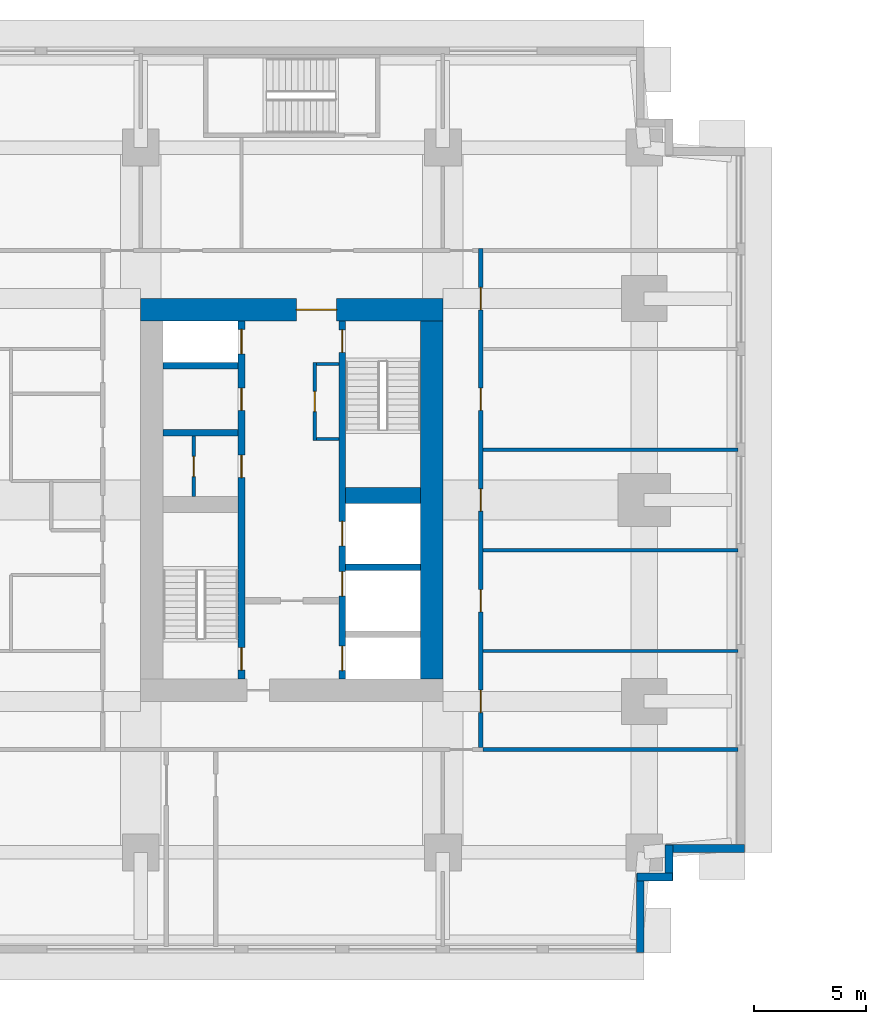
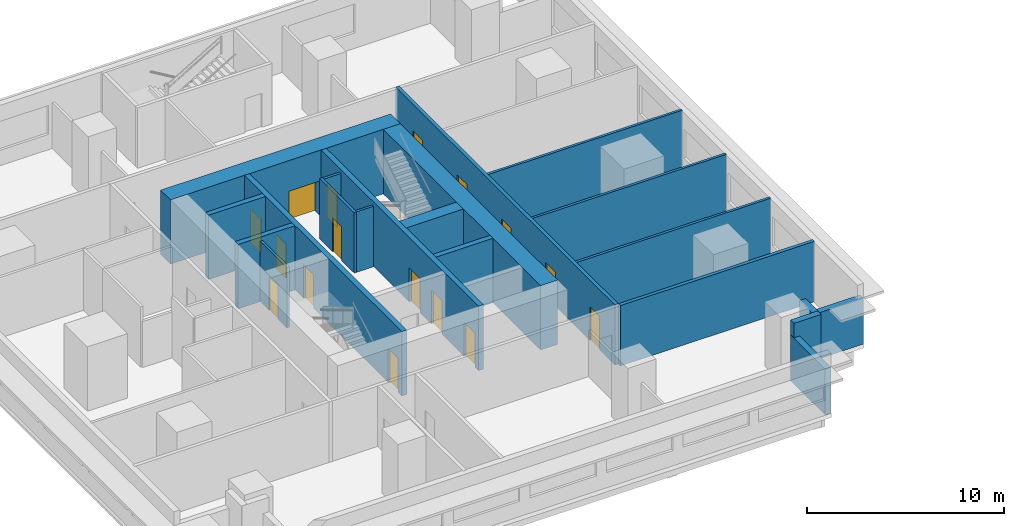
# One storey, part 4 of 11: 21 walls, 16 doors, 16 openings.
"""IFC4 building model written with IfcOpenShell, lengths in metres."""

from ifc_helpers import new_model, si_unit, direction, frame, frame_2d, origin, place, context, subcontext, project, spatial, rectangle, extrude, material, layer, layer_set, type_object, element, fill, save


model = new_model("IFC4")

# Units and contexts
model_context = context("Model", 3, precision=1e-05, world=origin(), true_north=direction((0.0, 1.0)))
body_context = subcontext(model_context, "Body", "Model", "MODEL_VIEW")
ifc_project = project(units=[si_unit("LENGTHUNIT", "METRE"), si_unit("AREAUNIT", "SQUARE_METRE"), si_unit("VOLUMEUNIT", "CUBIC_METRE"), si_unit("PLANEANGLEUNIT", "RADIAN"), si_unit("MASSUNIT", "GRAM", prefix="KILO")], contexts=[model_context])

# Site, building, storey
site_placement = place(None, origin())
site = spatial("IfcSite", under=ifc_project, at=site_placement, CompositionType="ELEMENT")
building_placement = place(site_placement, origin())
building = spatial("IfcBuilding", under=site, at=building_placement, Name="Namib Vertical Campus", CompositionType="ELEMENT")
storey_placement = place(building_placement, frame((0.0, 0.0, 185.0)))
storey = spatial("IfcBuildingStorey", under=building, at=storey_placement, Name="L43", CompositionType="ELEMENT", Elevation=185.0)

# Wall, openings, doors
ifc_material_1 = material(Name="Concrete C60/75", Category="concrete")
ifc_layer_1 = layer(ifc_material_1, 0.300048828125)
ifc_layer_set_1 = layer_set([ifc_layer_1], Name="Concrete C60/75")
wall_type_1 = type_object("IfcWallType", Name="Core inner wall 300", PredefinedType="SHEAR", material=ifc_layer_set_1)
wall_1_placement = place(storey_placement, frame((18.0, 12.25, 0.0), z_axis=(0.0, 0.0, 1.0), x_axis=(0.0, 1.0, 0.0)))
wall_1 = element("IfcWall", 1, at=wall_1_placement, inside=storey, type_object=wall_type_1, Name="Core inner wall A L43 W1", PredefinedType="SHEAR", context=body_context, shape_type="SweptSolid", body=[
    extrude(rectangle(XDim=16.0, YDim=0.300048828125, at=frame_2d((8.0, 0.0))), origin(), (0.0, 0.0, 1.0), 4.0),
])
opening_1_placement = place(wall_1_placement, frame((0.39990234375, 0.0, 0.0)))
opening_1 = element("IfcOpeningElement", 2, at=opening_1_placement, cuts=wall_1, Name="Opening FD1", PredefinedType="OPENING", context=body_context, shape_type="SweptSolid", body=[
    extrude(rectangle(XDim=1.0, YDim=2.10009765625, at=frame_2d((0.5, 1.050048828125))), frame((0.0, 0.159912109375, 0.0), z_axis=(0.0, -1.0, 0.0), x_axis=(1.0, 0.0, 0.0)), (0.0, 0.0, 1.0), 0.320068359375),
])
opening_2_placement = place(wall_1_placement, frame((14.52490234375, 0.0, 0.0)))
opening_2 = element("IfcOpeningElement", 3, at=opening_2_placement, cuts=wall_1, Name="Opening LD1", PredefinedType="OPENING", context=body_context, shape_type="SweptSolid", body=[
    extrude(rectangle(XDim=1.10009765625, YDim=2.10009765625, at=frame_2d((0.550048828125, 1.050048828125))), frame((0.0, 0.159912109375, 0.0), z_axis=(0.0, -1.0, 0.0), x_axis=(1.0, 0.0, 0.0)), (0.0, 0.0, 1.0), 0.320068359375),
])
opening_3_placement = place(wall_1_placement, frame((9.0, 0.0, 0.0)))
opening_3 = element("IfcOpeningElement", 4, at=opening_3_placement, cuts=wall_1, Name="Opening D1", PredefinedType="OPENING", context=body_context, shape_type="SweptSolid", body=[
    extrude(rectangle(XDim=1.0, YDim=2.10009765625, at=frame_2d((0.5, 1.050048828125))), frame((0.0, 0.159912109375, 0.0), z_axis=(0.0, -1.0, 0.0), x_axis=(1.0, 0.0, 0.0)), (0.0, 0.0, 1.0), 0.320068359375),
])
opening_4_placement = place(wall_1_placement, frame((12.0, 0.0, 0.0)))
opening_4 = element("IfcOpeningElement", 5, at=opening_4_placement, cuts=wall_1, Name="Opening D1", PredefinedType="OPENING", context=body_context, shape_type="SweptSolid", body=[
    extrude(rectangle(XDim=1.0, YDim=2.10009765625, at=frame_2d((0.5, 1.050048828125))), frame((0.0, 0.159912109375, 0.0), z_axis=(0.0, -1.0, 0.0), x_axis=(1.0, 0.0, 0.0)), (0.0, 0.0, 1.0), 0.320068359375),
])
ifc_material_2 = material(Name="Timber door leaf", Category="wood")
door_type_1 = type_object("IfcDoorType", Name="Door single 1000x2100", OperationType="SINGLE_SWING_LEFT", PredefinedType="DOOR", material=ifc_material_2)
door_1_placement = place(opening_3_placement, origin())
door_1 = element("IfcDoor", 6, at=door_1_placement, inside=storey, type_object=door_type_1, Name="Door D1 Store A L43 P1", OperationType="SINGLE_SWING_LEFT", OverallHeight=2.10009765625, OverallWidth=1.0, PredefinedType="DOOR", context=body_context, shape_type="SweptSolid", body=[
    extrude(rectangle(XDim=1.0, YDim=2.10009765625, at=frame_2d((0.5, 1.050048828125))), frame((0.0, 0.02490234375, 0.0), z_axis=(0.0, -1.0, 0.0), x_axis=(1.0, 0.0, 0.0)), (0.0, 0.0, 1.0), 0.050048828125),
])
fill(opening_3, door_1)
door_2_placement = place(opening_4_placement, origin())
door_2 = element("IfcDoor", 7, at=door_2_placement, inside=storey, type_object=door_type_1, Name="Door D1 Cleaners' store A L43 P2", OperationType="SINGLE_SWING_LEFT", OverallHeight=2.10009765625, OverallWidth=1.0, PredefinedType="DOOR", context=body_context, shape_type="SweptSolid", body=[
    extrude(rectangle(XDim=1.0, YDim=2.10009765625, at=frame_2d((0.5, 1.050048828125))), frame((0.0, 0.02490234375, 0.0), z_axis=(0.0, -1.0, 0.0), x_axis=(1.0, 0.0, 0.0)), (0.0, 0.0, 1.0), 0.050048828125),
])
fill(opening_4, door_2)
ifc_material_3 = material(Name="Steel fire door", Category="steel")
door_type_2 = type_object("IfcDoorType", Name="Fire door 1000x2100", OperationType="SINGLE_SWING_RIGHT", PredefinedType="DOOR", material=ifc_material_3)
door_3_placement = place(opening_1_placement, origin())
door_3 = element("IfcDoor", 8, at=door_3_placement, inside=storey, type_object=door_type_2, Name="Stair door FD1 A L43 S1", OperationType="SINGLE_SWING_LEFT", OverallHeight=2.10009765625, OverallWidth=1.0, PredefinedType="DOOR", context=body_context, shape_type="SweptSolid", body=[
    extrude(rectangle(XDim=1.0, YDim=2.10009765625, at=frame_2d((0.5, 1.050048828125))), frame((0.0, 0.02490234375, 0.0), z_axis=(0.0, -1.0, 0.0), x_axis=(1.0, 0.0, 0.0)), (0.0, 0.0, 1.0), 0.050048828125),
])
fill(opening_1, door_3)
ifc_material_4 = material(Name="Stainless steel lift door", Category="steel")
door_type_3 = type_object("IfcDoorType", Name="Lift landing door 1100x2100", OperationType="DOUBLE_DOOR_SLIDING", PredefinedType="DOOR", material=ifc_material_4)
door_4_placement = place(opening_2_placement, origin())
door_4 = element("IfcDoor", 9, at=door_4_placement, inside=storey, type_object=door_type_3, Name="Lift landing door LD1 A-P3 L43", OperationType="DOUBLE_DOOR_SLIDING", OverallHeight=2.10009765625, OverallWidth=1.10009765625, PredefinedType="DOOR", context=body_context, shape_type="SweptSolid", body=[
    extrude(rectangle(XDim=1.10009765625, YDim=2.10009765625, at=frame_2d((0.550048828125, 1.050048828125))), frame((0.0, 0.02490234375, 0.0), z_axis=(0.0, -1.0, 0.0), x_axis=(1.0, 0.0, 0.0)), (0.0, 0.0, 1.0), 0.050048828125),
])
fill(opening_2, door_4)

wall_2_placement = place(storey_placement, frame((22.5, 12.25, 0.0), z_axis=(0.0, 0.0, 1.0), x_axis=(0.0, 1.0, 0.0)))
wall_2 = element("IfcWall", 10, at=wall_2_placement, inside=storey, type_object=wall_type_1, Name="Core inner wall A L43 W2", PredefinedType="SHEAR", context=body_context, shape_type="SweptSolid", body=[
    extrude(rectangle(XDim=16.0, YDim=0.300048828125, at=frame_2d((8.0, 0.0))), origin(), (0.0, 0.0, 1.0), 4.0),
])
opening_5_placement = place(wall_2_placement, frame((14.60009765625, 0.0, 0.0)))
opening_5 = element("IfcOpeningElement", 11, at=opening_5_placement, cuts=wall_2, Name="Opening FD1", PredefinedType="OPENING", context=body_context, shape_type="SweptSolid", body=[
    extrude(rectangle(XDim=1.0, YDim=2.10009765625, at=frame_2d((0.5, 1.050048828125))), frame((0.0, 0.159912109375, 0.0), z_axis=(0.0, -1.0, 0.0), x_axis=(1.0, 0.0, 0.0)), (0.0, 0.0, 1.0), 0.320068359375),
])
opening_6_placement = place(wall_2_placement, frame((0.375, 0.0, 0.0)))
opening_6 = element("IfcOpeningElement", 12, at=opening_6_placement, cuts=wall_2, Name="Opening LD1", PredefinedType="OPENING", context=body_context, shape_type="SweptSolid", body=[
    extrude(rectangle(XDim=1.10009765625, YDim=2.10009765625, at=frame_2d((0.550048828125, 1.050048828125))), frame((0.0, 0.159912109375, 0.0), z_axis=(0.0, -1.0, 0.0), x_axis=(1.0, 0.0, 0.0)), (0.0, 0.0, 1.0), 0.320068359375),
])
opening_7_placement = place(wall_2_placement, frame((3.699951171875, 0.0, 0.0)))
opening_7 = element("IfcOpeningElement", 13, at=opening_7_placement, cuts=wall_2, Name="Opening LD1", PredefinedType="OPENING", context=body_context, shape_type="SweptSolid", body=[
    extrude(rectangle(XDim=1.10009765625, YDim=2.10009765625, at=frame_2d((0.550048828125, 1.050048828125))), frame((0.0, 0.159912109375, 0.0), z_axis=(0.0, -1.0, 0.0), x_axis=(1.0, 0.0, 0.0)), (0.0, 0.0, 1.0), 0.320068359375),
])
opening_8_placement = place(wall_2_placement, frame((5.949951171875, 0.0, 0.0)))
opening_8 = element("IfcOpeningElement", 14, at=opening_8_placement, cuts=wall_2, Name="Opening LD1", PredefinedType="OPENING", context=body_context, shape_type="SweptSolid", body=[
    extrude(rectangle(XDim=1.10009765625, YDim=2.10009765625, at=frame_2d((0.550048828125, 1.050048828125))), frame((0.0, 0.159912109375, 0.0), z_axis=(0.0, -1.0, 0.0), x_axis=(1.0, 0.0, 0.0)), (0.0, 0.0, 1.0), 0.320068359375),
])
door_5_placement = place(opening_5_placement, frame((1.0, 0.0, 0.0), z_axis=(0.0, 0.0, 1.0), x_axis=(-1.0, 0.0, 0.0)))
door_5 = element("IfcDoor", 15, at=door_5_placement, inside=storey, type_object=door_type_2, Name="Stair door FD1 A L43 S2", OperationType="SINGLE_SWING_LEFT", OverallHeight=2.10009765625, OverallWidth=1.0, PredefinedType="DOOR", context=body_context, shape_type="SweptSolid", body=[
    extrude(rectangle(XDim=1.0, YDim=2.10009765625, at=frame_2d((0.5, 1.050048828125))), frame((0.0, 0.02490234375, 0.0), z_axis=(0.0, -1.0, 0.0), x_axis=(1.0, 0.0, 0.0)), (0.0, 0.0, 1.0), 0.050048828125),
])
fill(opening_5, door_5)
door_6_placement = place(opening_6_placement, origin())
door_6 = element("IfcDoor", 16, at=door_6_placement, inside=storey, type_object=door_type_3, Name="Lift landing door LD1 A-FL1 L43", OperationType="DOUBLE_DOOR_SLIDING", OverallHeight=2.10009765625, OverallWidth=1.10009765625, PredefinedType="DOOR", context=body_context, shape_type="SweptSolid", body=[
    extrude(rectangle(XDim=1.10009765625, YDim=2.10009765625, at=frame_2d((0.550048828125, 1.050048828125))), frame((0.0, 0.02490234375, 0.0), z_axis=(0.0, -1.0, 0.0), x_axis=(1.0, 0.0, 0.0)), (0.0, 0.0, 1.0), 0.050048828125),
])
fill(opening_6, door_6)
door_7_placement = place(opening_7_placement, origin())
door_7 = element("IfcDoor", 17, at=door_7_placement, inside=storey, type_object=door_type_3, Name="Lift landing door LD1 A-P4 L43", OperationType="DOUBLE_DOOR_SLIDING", OverallHeight=2.10009765625, OverallWidth=1.10009765625, PredefinedType="DOOR", context=body_context, shape_type="SweptSolid", body=[
    extrude(rectangle(XDim=1.10009765625, YDim=2.10009765625, at=frame_2d((0.550048828125, 1.050048828125))), frame((0.0, 0.02490234375, 0.0), z_axis=(0.0, -1.0, 0.0), x_axis=(1.0, 0.0, 0.0)), (0.0, 0.0, 1.0), 0.050048828125),
])
fill(opening_7, door_7)
door_8_placement = place(opening_8_placement, origin())
door_8 = element("IfcDoor", 18, at=door_8_placement, inside=storey, type_object=door_type_3, Name="Lift landing door LD1 A-P5 L43", OperationType="DOUBLE_DOOR_SLIDING", OverallHeight=2.10009765625, OverallWidth=1.10009765625, PredefinedType="DOOR", context=body_context, shape_type="SweptSolid", body=[
    extrude(rectangle(XDim=1.10009765625, YDim=2.10009765625, at=frame_2d((0.550048828125, 1.050048828125))), frame((0.0, 0.02490234375, 0.0), z_axis=(0.0, -1.0, 0.0), x_axis=(1.0, 0.0, 0.0)), (0.0, 0.0, 1.0), 0.050048828125),
])
fill(opening_8, door_8)

# Walls
for number, where, z_axis, x_axis, name in (
    (19, (22.64990234375, 17.25, 0.0), (0.0, 0.0, 1.0), (1.0, 0.0, 0.0), "Core inner wall A L43 W6"),
    (20, (14.5, 23.25, 0.0), (0.0, 0.0, 1.0), (1.0, 0.0, 0.0), "Core inner wall A L43 W8"),
    (21, (14.5, 26.25, 0.0), (0.0, 0.0, 1.0), (1.0, 0.0, 0.0), "Core inner wall A L43 W9"),
):
    element("IfcWall", number, at=place(storey_placement, frame(where, z_axis=z_axis, x_axis=x_axis)), inside=storey, type_object=wall_type_1, Name=name, PredefinedType="SHEAR", context=body_context, shape_type="SweptSolid", body=[
        extrude(rectangle(XDim=3.35009765625, YDim=0.300048828125, at=frame_2d((1.675048828125, 0.0))), origin(), (0.0, 0.0, 1.0), 4.0),
    ])
ifc_material_5 = material(Name="Concrete C60/75", Category="concrete")
ifc_layer_2 = layer(ifc_material_5, 0.699951171875)
ifc_layer_set_2 = layer_set([ifc_layer_2], Name="Concrete C60/75")
wall_type_2 = type_object("IfcWallType", Name="Core shear wall 700", PredefinedType="SHEAR", material=ifc_layer_set_2)
wall_3_placement = place(storey_placement, frame((22.64990234375, 20.449951171875, 0.0), z_axis=(0.0, 0.0, 1.0), x_axis=(1.0, 0.0, 0.0)))
element("IfcWall", 22, at=wall_3_placement, inside=storey, type_object=wall_type_2, Name="Core shear wall A L43 W7", PredefinedType="SHEAR", context=body_context, shape_type="SweptSolid", body=[
    extrude(rectangle(XDim=3.35009765625, YDim=0.699951171875, at=frame_2d((1.675048828125, 0.0))), origin(), (0.0, 0.0, 1.0), 4.0),
])
ifc_material_6 = material(Name="Concrete C60/75", Category="concrete")
ifc_layer_3 = layer(ifc_material_6, 1.0)
ifc_layer_set_3 = layer_set([ifc_layer_3], Name="Concrete C60/75")
wall_type_3 = type_object("IfcWallType", Name="Core wall 1000", PredefinedType="SHEAR", material=ifc_layer_set_3)
wall_4_placement = place(storey_placement, frame((26.5, 12.25, 0.0), z_axis=(0.0, 0.0, 1.0), x_axis=(0.0, 1.0, 0.0)))
element("IfcWall", 23, at=wall_4_placement, inside=storey, type_object=wall_type_3, Name="Core wall A L43 2", PredefinedType="SHEAR", context=body_context, shape_type="SweptSolid", body=[
    extrude(rectangle(XDim=16.0, YDim=1.0, at=frame_2d((8.0, 0.0))), origin(), (0.0, 0.0, 1.0), 4.0),
])

# Wall, opening, door
wall_5_placement = place(storey_placement, frame((27.0, 28.75, 0.0), z_axis=(0.0, 0.0, 1.0), x_axis=(-1.0, 0.0, 0.0)))
wall_5 = element("IfcWall", 24, at=wall_5_placement, inside=storey, type_object=wall_type_3, Name="Core wall A L43 3", PredefinedType="SHEAR", context=body_context, shape_type="SweptSolid", body=[
    extrude(rectangle(XDim=13.5, YDim=1.0, at=frame_2d((6.75, 0.0))), origin(), (0.0, 0.0, 1.0), 4.0),
])
opening_9_placement = place(wall_5_placement, frame((4.75, 0.0, 0.0)))
opening_9 = element("IfcOpeningElement", 25, at=opening_9_placement, cuts=wall_5, Name="Opening FD2", PredefinedType="OPENING", context=body_context, shape_type="SweptSolid", body=[
    extrude(rectangle(XDim=1.800048828125, YDim=2.10009765625, at=frame_2d((0.89990234375, 1.050048828125))), frame((0.0, 0.510009765625, 0.0), z_axis=(0.0, -1.0, 0.0), x_axis=(1.0, 0.0, 0.0)), (0.0, 0.0, 1.0), 1.02001953125),
])
ifc_material_7 = material(Name="Steel fire door", Category="steel")
door_type_4 = type_object("IfcDoorType", Name="Fire door double 1800x2100", OperationType="DOUBLE_DOOR_SINGLE_SWING", PredefinedType="DOOR", material=ifc_material_7)
door_9_placement = place(opening_9_placement, origin())
door_9 = element("IfcDoor", 26, at=door_9_placement, inside=storey, type_object=door_type_4, Name="Lift lobby door FD2 A L43", OperationType="DOUBLE_DOOR_SINGLE_SWING", OverallHeight=2.10009765625, OverallWidth=1.800048828125, PredefinedType="DOOR", context=body_context, shape_type="SweptSolid", body=[
    extrude(rectangle(XDim=1.800048828125, YDim=2.10009765625, at=frame_2d((0.89990234375, 1.050048828125))), frame((0.0, 0.02490234375, 0.0), z_axis=(0.0, -1.0, 0.0), x_axis=(1.0, 0.0, 0.0)), (0.0, 0.0, 1.0), 0.050048828125),
])
fill(opening_9, door_9)

# Wall, openings, doors
ifc_material_8 = material(Name="Concrete masonry", Category="masonry")
ifc_layer_4 = layer(ifc_material_8, 0.199951171875)
ifc_layer_set_4 = layer_set([ifc_layer_4], Name="Corridor wall 200")
wall_type_4 = type_object("IfcWallType", Name="Corridor wall 200", PredefinedType="SOLIDWALL", material=ifc_layer_set_4)
wall_6_placement = place(storey_placement, frame((28.699951171875, 9.199951171875, 0.0), z_axis=(0.0, 0.0, 1.0), x_axis=(0.0, 1.0, 0.0)))
wall_6 = element("IfcWall", 27, at=wall_6_placement, inside=storey, type_object=wall_type_4, Name="Corridor wall A L43 CE", PredefinedType="SOLIDWALL", context=body_context, shape_type="SweptSolid", body=[
    extrude(rectangle(XDim=22.300048828125, YDim=0.199951171875, at=frame_2d((11.14990234375, 0.0))), origin(), (0.0, 0.0, 1.0), 3.75),
])
opening_10_placement = place(wall_6_placement, frame((1.550048828125, 0.0, 0.0)))
opening_10 = element("IfcOpeningElement", 28, at=opening_10_placement, cuts=wall_6, Name="Opening CD1", PredefinedType="OPENING", context=body_context, shape_type="SweptSolid", body=[
    extrude(rectangle(XDim=1.0, YDim=2.10009765625, at=frame_2d((0.5, 1.050048828125))), frame((0.0, 0.10986328125, 0.0), z_axis=(0.0, -1.0, 0.0), x_axis=(1.0, 0.0, 0.0)), (0.0, 0.0, 1.0), 0.219970703125),
])
opening_11_placement = place(wall_6_placement, frame((6.050048828125, 0.0, 0.0)))
opening_11 = element("IfcOpeningElement", 29, at=opening_11_placement, cuts=wall_6, Name="Opening CD1", PredefinedType="OPENING", context=body_context, shape_type="SweptSolid", body=[
    extrude(rectangle(XDim=1.0, YDim=2.10009765625, at=frame_2d((0.5, 1.050048828125))), frame((0.0, 0.10986328125, 0.0), z_axis=(0.0, -1.0, 0.0), x_axis=(1.0, 0.0, 0.0)), (0.0, 0.0, 1.0), 0.219970703125),
])
opening_12_placement = place(wall_6_placement, frame((10.550048828125, 0.0, 0.0)))
opening_12 = element("IfcOpeningElement", 30, at=opening_12_placement, cuts=wall_6, Name="Opening CD1", PredefinedType="OPENING", context=body_context, shape_type="SweptSolid", body=[
    extrude(rectangle(XDim=1.0, YDim=2.10009765625, at=frame_2d((0.5, 1.050048828125))), frame((0.0, 0.10986328125, 0.0), z_axis=(0.0, -1.0, 0.0), x_axis=(1.0, 0.0, 0.0)), (0.0, 0.0, 1.0), 0.219970703125),
])
opening_13_placement = place(wall_6_placement, frame((15.050048828125, 0.0, 0.0)))
opening_13 = element("IfcOpeningElement", 31, at=opening_13_placement, cuts=wall_6, Name="Opening CD1", PredefinedType="OPENING", context=body_context, shape_type="SweptSolid", body=[
    extrude(rectangle(XDim=1.0, YDim=2.10009765625, at=frame_2d((0.5, 1.050048828125))), frame((0.0, 0.10986328125, 0.0), z_axis=(0.0, -1.0, 0.0), x_axis=(1.0, 0.0, 0.0)), (0.0, 0.0, 1.0), 0.219970703125),
])
opening_14_placement = place(wall_6_placement, frame((19.550048828125, 0.0, 0.0)))
opening_14 = element("IfcOpeningElement", 32, at=opening_14_placement, cuts=wall_6, Name="Opening CD1", PredefinedType="OPENING", context=body_context, shape_type="SweptSolid", body=[
    extrude(rectangle(XDim=1.0, YDim=2.10009765625, at=frame_2d((0.5, 1.050048828125))), frame((0.0, 0.10986328125, 0.0), z_axis=(0.0, -1.0, 0.0), x_axis=(1.0, 0.0, 0.0)), (0.0, 0.0, 1.0), 0.219970703125),
])
ifc_material_9 = material(Name="Timber fire door leaf", Category="wood")
door_type_5 = type_object("IfcDoorType", Name="Corridor door 1000x2100 20 min", OperationType="SINGLE_SWING_LEFT", PredefinedType="DOOR", material=ifc_material_9)
door_10_placement = place(opening_10_placement, frame((1.0, 0.0, 0.0), z_axis=(0.0, 0.0, 1.0), x_axis=(-1.0, 0.0, 0.0)))
door_10 = element("IfcDoor", 33, at=door_10_placement, inside=storey, type_object=door_type_5, Name="Door CD1 A43-04", OperationType="SINGLE_SWING_RIGHT", OverallHeight=2.10009765625, OverallWidth=1.0, PredefinedType="DOOR", context=body_context, shape_type="SweptSolid", body=[
    extrude(rectangle(XDim=1.0, YDim=2.10009765625, at=frame_2d((0.5, 1.050048828125))), frame((0.0, 0.02490234375, 0.0), z_axis=(0.0, -1.0, 0.0), x_axis=(1.0, 0.0, 0.0)), (0.0, 0.0, 1.0), 0.050048828125),
])
fill(opening_10, door_10)
door_11_placement = place(opening_11_placement, frame((1.0, 0.0, 0.0), z_axis=(0.0, 0.0, 1.0), x_axis=(-1.0, 0.0, 0.0)))
door_11 = element("IfcDoor", 34, at=door_11_placement, inside=storey, type_object=door_type_5, Name="Door CD1 A43-05", OperationType="SINGLE_SWING_RIGHT", OverallHeight=2.10009765625, OverallWidth=1.0, PredefinedType="DOOR", context=body_context, shape_type="SweptSolid", body=[
    extrude(rectangle(XDim=1.0, YDim=2.10009765625, at=frame_2d((0.5, 1.050048828125))), frame((0.0, 0.02490234375, 0.0), z_axis=(0.0, -1.0, 0.0), x_axis=(1.0, 0.0, 0.0)), (0.0, 0.0, 1.0), 0.050048828125),
])
fill(opening_11, door_11)
door_12_placement = place(opening_12_placement, frame((1.0, 0.0, 0.0), z_axis=(0.0, 0.0, 1.0), x_axis=(-1.0, 0.0, 0.0)))
door_12 = element("IfcDoor", 35, at=door_12_placement, inside=storey, type_object=door_type_5, Name="Door CD1 A43-06", OperationType="SINGLE_SWING_RIGHT", OverallHeight=2.10009765625, OverallWidth=1.0, PredefinedType="DOOR", context=body_context, shape_type="SweptSolid", body=[
    extrude(rectangle(XDim=1.0, YDim=2.10009765625, at=frame_2d((0.5, 1.050048828125))), frame((0.0, 0.02490234375, 0.0), z_axis=(0.0, -1.0, 0.0), x_axis=(1.0, 0.0, 0.0)), (0.0, 0.0, 1.0), 0.050048828125),
])
fill(opening_12, door_12)
door_13_placement = place(opening_13_placement, frame((1.0, 0.0, 0.0), z_axis=(0.0, 0.0, 1.0), x_axis=(-1.0, 0.0, 0.0)))
door_13 = element("IfcDoor", 36, at=door_13_placement, inside=storey, type_object=door_type_5, Name="Door CD1 A43-07", OperationType="SINGLE_SWING_RIGHT", OverallHeight=2.10009765625, OverallWidth=1.0, PredefinedType="DOOR", context=body_context, shape_type="SweptSolid", body=[
    extrude(rectangle(XDim=1.0, YDim=2.10009765625, at=frame_2d((0.5, 1.050048828125))), frame((0.0, 0.02490234375, 0.0), z_axis=(0.0, -1.0, 0.0), x_axis=(1.0, 0.0, 0.0)), (0.0, 0.0, 1.0), 0.050048828125),
])
fill(opening_13, door_13)
door_14_placement = place(opening_14_placement, frame((1.0, 0.0, 0.0), z_axis=(0.0, 0.0, 1.0), x_axis=(-1.0, 0.0, 0.0)))
door_14 = element("IfcDoor", 37, at=door_14_placement, inside=storey, type_object=door_type_5, Name="Door CD1 A43-08", OperationType="SINGLE_SWING_RIGHT", OverallHeight=2.10009765625, OverallWidth=1.0, PredefinedType="DOOR", context=body_context, shape_type="SweptSolid", body=[
    extrude(rectangle(XDim=1.0, YDim=2.10009765625, at=frame_2d((0.5, 1.050048828125))), frame((0.0, 0.02490234375, 0.0), z_axis=(0.0, -1.0, 0.0), x_axis=(1.0, 0.0, 0.0)), (0.0, 0.0, 1.0), 0.050048828125),
])
fill(opening_14, door_14)

# Walls
wall_7_placement = place(storey_placement, frame((28.800048828125, 9.10009765625, 0.0), z_axis=(0.0, 0.0, 1.0), x_axis=(1.0, 0.0, 0.0)))
element("IfcWall", 38, at=wall_7_placement, inside=storey, type_object=wall_type_4, Name="Partition A L43 BSE", PredefinedType="SOLIDWALL", context=body_context, shape_type="SweptSolid", body=[
    extrude(rectangle(XDim=11.39990234375, YDim=0.199951171875, at=frame_2d((5.699951171875, 0.0))), origin(), (0.0, 0.0, 1.0), 3.75),
])
ifc_material_10 = material(Name="Concrete C40/50", Category="concrete")
ifc_layer_5 = layer(ifc_material_10, 0.35009765625)
ifc_layer_set_5 = layer_set([ifc_layer_5], Name="Concrete C40/50")
wall_type_5 = type_object("IfcWallType", Name="External wall 350 bush-hammered concrete", PredefinedType="STANDARD", material=ifc_layer_set_5)
wall_8_placement = place(storey_placement, frame((35.824951171875, 0.02001953125, 0.0), z_axis=(0.0, 0.0, 1.0), x_axis=(0.0, 1.0, 0.0)))
element("IfcWall", 39, at=wall_8_placement, inside=storey, type_object=wall_type_5, Name="External wall L43 F02", PredefinedType="STANDARD", context=body_context, shape_type="SweptSolid", body=[
    extrude(rectangle(XDim=3.534912109375, YDim=0.35009765625, at=frame_2d((1.767578125, 0.0))), origin(), (0.0, 0.0, 1.0), 2.85009765625),
])
for number, where, z_axis, x_axis, name in (
    (40, (35.669921875, 3.39990234375, 0.0), (0.0, 0.0, 1.0), (1.0, 0.0, 0.0), "External wall L43 F03"),
    (41, (37.10009765625, 3.2451171875, 0.0), (0.0, 0.0, 1.0), (0.0, 1.0, 0.0), "External wall L43 F04"),
):
    element("IfcWall", number, at=place(storey_placement, frame(where, z_axis=z_axis, x_axis=x_axis)), inside=storey, type_object=wall_type_5, Name=name, PredefinedType="STANDARD", context=body_context, shape_type="SweptSolid", body=[
        extrude(rectangle(XDim=1.5849609375, YDim=0.35009765625, at=frame_2d((0.79248046875, 0.0))), origin(), (0.0, 0.0, 1.0), 3.75),
    ])
wall_9_placement = place(storey_placement, frame((36.945068359375, 4.675048828125, 0.0), z_axis=(0.0, 0.0, 1.0), x_axis=(1.0, 0.0, 0.0)))
element("IfcWall", 42, at=wall_9_placement, inside=storey, type_object=wall_type_5, Name="External wall L43 F05", PredefinedType="STANDARD", context=body_context, shape_type="SweptSolid", body=[
    extrude(rectangle(XDim=3.534912109375, YDim=0.35009765625, at=frame_2d((1.767578125, 0.0))), origin(), (0.0, 0.0, 1.0), 2.85009765625),
])

# Wall, opening, door
ifc_material_11 = material(Name="Gypsum board on steel studs", Category="steel")
ifc_layer_6 = layer(ifc_material_11, 0.14990234375)
ifc_layer_set_6 = layer_set([ifc_layer_6], Name="Gypsum board on steel studs")
wall_type_6 = type_object("IfcWallType", Name="Partition 150", PredefinedType="PARTITIONING", material=ifc_layer_set_6)
wall_10_placement = place(storey_placement, frame((21.27490234375, 22.89990234375, 0.0), z_axis=(0.0, 0.0, 1.0), x_axis=(0.0, 1.0, 0.0)))
wall_10 = element("IfcWall", 43, at=wall_10_placement, inside=storey, type_object=wall_type_6, Name="Partition A L43 Staff pantry front", PredefinedType="PARTITIONING", context=body_context, shape_type="SweptSolid", body=[
    extrude(rectangle(XDim=3.5, YDim=0.14990234375, at=frame_2d((1.75, 0.0))), origin(), (0.0, 0.0, 1.0), 3.75),
])
opening_15_placement = place(wall_10_placement, frame((1.300048828125, 0.0, 0.0)))
opening_15 = element("IfcOpeningElement", 44, at=opening_15_placement, cuts=wall_10, Name="Opening D3", PredefinedType="OPENING", context=body_context, shape_type="SweptSolid", body=[
    extrude(rectangle(XDim=0.89990234375, YDim=2.10009765625, at=frame_2d((0.449951171875, 1.050048828125))), frame((0.0, 0.0849609375, 0.0), z_axis=(0.0, -1.0, 0.0), x_axis=(1.0, 0.0, 0.0)), (0.0, 0.0, 1.0), 0.169921875),
])
ifc_material_12 = material(Name="Timber door leaf", Category="wood")
door_type_6 = type_object("IfcDoorType", Name="Toilet door 900x2100", OperationType="SINGLE_SWING_LEFT", PredefinedType="DOOR", material=ifc_material_12)
door_15_placement = place(opening_15_placement, frame((0.89990234375, 0.0, 0.0), z_axis=(0.0, 0.0, 1.0), x_axis=(-1.0, 0.0, 0.0)))
door_15 = element("IfcDoor", 45, at=door_15_placement, inside=storey, type_object=door_type_6, Name="Door D3 Staff pantry A L43", OperationType="SINGLE_SWING_RIGHT", OverallHeight=2.10009765625, OverallWidth=0.89990234375, PredefinedType="DOOR", context=body_context, shape_type="SweptSolid", body=[
    extrude(rectangle(XDim=0.89990234375, YDim=2.10009765625, at=frame_2d((0.449951171875, 1.050048828125))), frame((0.0, 0.02490234375, 0.0), z_axis=(0.0, -1.0, 0.0), x_axis=(1.0, 0.0, 0.0)), (0.0, 0.0, 1.0), 0.050048828125),
])
fill(opening_15, door_15)

# Walls
for number, where, z_axis, x_axis, name in (
    (46, (21.35009765625, 22.97509765625, 0.0), (0.0, 0.0, 1.0), (1.0, 0.0, 0.0), "Partition A L43 Staff pantry end 1"),
    (47, (21.35009765625, 26.324951171875, 0.0), (0.0, 0.0, 1.0), (1.0, 0.0, 0.0), "Partition A L43 Staff pantry end 2"),
):
    element("IfcWall", number, at=place(storey_placement, frame(where, z_axis=z_axis, x_axis=x_axis)), inside=storey, type_object=wall_type_6, Name=name, PredefinedType="PARTITIONING", context=body_context, shape_type="SweptSolid", body=[
        extrude(rectangle(XDim=1.0, YDim=0.14990234375, at=frame_2d((0.5, 0.0))), origin(), (0.0, 0.0, 1.0), 3.75),
    ])

# Wall, opening, door
wall_11_placement = place(storey_placement, frame((15.875, 20.39990234375, 0.0), z_axis=(0.0, 0.0, 1.0), x_axis=(0.0, 1.0, 0.0)))
wall_11 = element("IfcWall", 48, at=wall_11_placement, inside=storey, type_object=wall_type_6, Name="Partition A L43 Store P1 back", PredefinedType="PARTITIONING", context=body_context, shape_type="SweptSolid", body=[
    extrude(rectangle(XDim=2.7001953125, YDim=0.14990234375, at=frame_2d((1.35009765625, 0.0))), origin(), (0.0, 0.0, 1.0), 3.75),
])
opening_16_placement = place(wall_11_placement, frame((0.89990234375, 0.0, 0.0)))
opening_16 = element("IfcOpeningElement", 49, at=opening_16_placement, cuts=wall_11, Name="Opening D3", PredefinedType="OPENING", context=body_context, shape_type="SweptSolid", body=[
    extrude(rectangle(XDim=0.89990234375, YDim=2.10009765625, at=frame_2d((0.449951171875, 1.050048828125))), frame((0.0, 0.0849609375, 0.0), z_axis=(0.0, -1.0, 0.0), x_axis=(1.0, 0.0, 0.0)), (0.0, 0.0, 1.0), 0.169921875),
])
door_16_placement = place(opening_16_placement, origin())
door_16 = element("IfcDoor", 50, at=door_16_placement, inside=storey, type_object=door_type_6, Name="Door D3 Store A L43 P1", OperationType="SINGLE_SWING_LEFT", OverallHeight=2.10009765625, OverallWidth=0.89990234375, PredefinedType="DOOR", context=body_context, shape_type="SweptSolid", body=[
    extrude(rectangle(XDim=0.89990234375, YDim=2.10009765625, at=frame_2d((0.449951171875, 1.050048828125))), frame((0.0, 0.02490234375, 0.0), z_axis=(0.0, -1.0, 0.0), x_axis=(1.0, 0.0, 0.0)), (0.0, 0.0, 1.0), 0.050048828125),
])
fill(opening_16, door_16)

# Walls
for number, where, z_axis, x_axis, name in (
    (51, (28.800048828125, 13.5, 0.0), (0.0, 0.0, 1.0), (1.0, 0.0, 0.0), "Partition A L43 PE1"),
    (52, (28.800048828125, 18.0, 0.0), (0.0, 0.0, 1.0), (1.0, 0.0, 0.0), "Partition A L43 PE2"),
    (53, (28.800048828125, 22.5, 0.0), (0.0, 0.0, 1.0), (1.0, 0.0, 0.0), "Partition A L43 PE3"),
):
    element("IfcWall", number, at=place(storey_placement, frame(where, z_axis=z_axis, x_axis=x_axis)), inside=storey, type_object=wall_type_6, Name=name, PredefinedType="PARTITIONING", context=body_context, shape_type="SweptSolid", body=[
        extrude(rectangle(XDim=11.39990234375, YDim=0.14990234375, at=frame_2d((5.699951171875, 0.0))), origin(), (0.0, 0.0, 1.0), 3.75),
    ])

save(model, "model.ifc")
